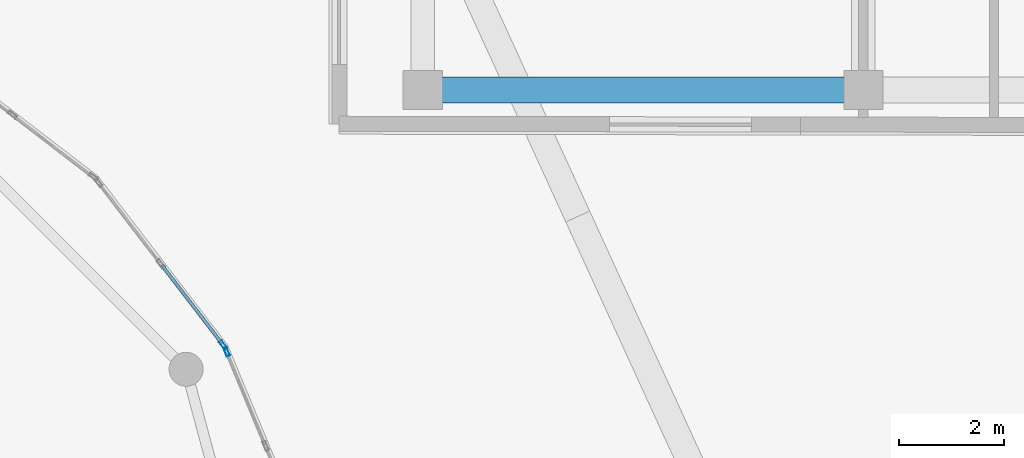
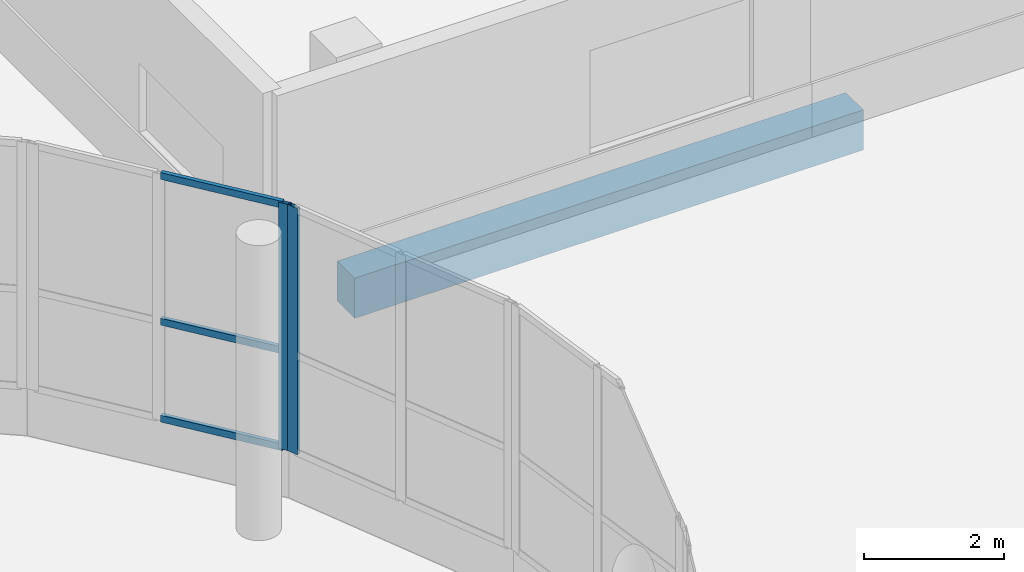
# One storey, part 19 of 101: 5 members, 1 beam, 2 elements without a shape of their own.
"""IFC4 building model written with IfcOpenShell, lengths in metres."""

from ifc_helpers import new_model, si_unit, direction, frame, origin, origin_2d, place, context, subcontext, project, spatial, rectangle, hollow_rectangle, extrude, material, material_profile, profile_set, type_object, element, aggregate, save


model = new_model("IFC4")

# Units and contexts
model_context = context("Model", 3, precision=1e-05, world=origin(), true_north=direction((0.0, 1.0)))
body_context = subcontext(model_context, "Body", "Model", "MODEL_VIEW")
ifc_project = project(units=[si_unit("LENGTHUNIT", "METRE"), si_unit("AREAUNIT", "SQUARE_METRE"), si_unit("VOLUMEUNIT", "CUBIC_METRE"), si_unit("PLANEANGLEUNIT", "RADIAN"), si_unit("MASSUNIT", "GRAM", prefix="KILO")], contexts=[model_context])

# Site, building, storey
site_placement = place(None, origin())
site = spatial("IfcSite", under=ifc_project, at=site_placement, CompositionType="ELEMENT")
building_placement = place(site_placement, origin())
building = spatial("IfcBuilding", under=site, at=building_placement, Name="Selatvlak General Hospital", CompositionType="ELEMENT")
storey_placement = place(building_placement, frame((0.0, 0.0, 19.199951171875)))
storey = spatial("IfcBuildingStorey", under=building, at=storey_placement, Name="L04", CompositionType="ELEMENT", Elevation=19.199951171875)

# Beam
ifc_material_1 = material(Name="Concrete C40/50", Category="concrete")
ifc_material_profile_1 = material_profile(ifc_material_1, rectangle(XDim=0.5, YDim=0.699951171875, at=origin_2d()), Name="RC-BM 500x700")
ifc_profile_set_1 = profile_set([ifc_material_profile_1], Name="Concrete C40/50")
beam_type = type_object("IfcBeamType", Name="BM-G03", PredefinedType="BEAM", material=ifc_profile_set_1)
beam_placement = place(storey_placement, frame((115.199951171875, 66.64990234375, -0.655029296875), z_axis=(1.0, 0.0, 0.0), x_axis=(0.0, 1.0, 0.0)))
element("IfcBeam", 1, at=beam_placement, inside=storey, type_object=beam_type, Name="Beam BMR-L04-1509", PredefinedType="BEAM", context=body_context, shape_type="SweptSolid", body=[
    extrude(rectangle(XDim=0.5, YDim=0.699951171875, at=origin_2d()), origin(), (0.0, 0.0, 1.0), 8.400146484375),
])

# Curtain wall, member
ifc_material_2 = material(Name="Solar-control Low-E double glazing", Category="glass")
curtain_wall_type_1 = type_object("IfcCurtainWallType", Name="CW-CW-05", PredefinedType="USERDEFINED", material=ifc_material_2)
curtain_wall_1_placement = place(storey_placement, origin())
curtain_wall_1 = element("IfcCurtainWall", 2, at=curtain_wall_1_placement, inside=storey, type_object=curtain_wall_type_1, Name="Glazed facade curtain wall CW-L04-0540", ObjectType="STICK GLAZING WALL", PredefinedType="USERDEFINED")
ifc_material_3 = material(Name="Dark anodised aluminium mullion", Category="aluminium")
ifc_material_profile_2 = material_profile(ifc_material_3, hollow_rectangle(XDim=0.06494140625, YDim=0.179931640625, WallThickness=0.00439453125, at=origin_2d()), Name="AL-MUL 65x180x4.5")
ifc_profile_set_2 = profile_set([ifc_material_profile_2], Name="Dark anodised aluminium mullion")
member_type_1 = type_object("IfcMemberType", Name="CWM-02", PredefinedType="MULLION", material=ifc_profile_set_2)
member_1_placement = place(storey_placement, frame((111.393310546875, 61.788818359375, 0.85009765625), z_axis=(0.0, 0.0, 1.0), x_axis=(0.793232853917, 0.608918417743, 0.0)))
member_1 = element("IfcMember", 3, at=member_1_placement, type_object=member_type_1, Name="CW-05 mullion 3", PredefinedType="MULLION", context=body_context, shape_type="SweptSolid", body=[
    extrude(hollow_rectangle(XDim=0.06494140625, YDim=0.179931640625, WallThickness=0.00439453125, at=origin_2d()), origin(), (0.0, 0.0, 1.0), 4.300048828125),
])

curtain_wall_type_2 = type_object("IfcCurtainWallType", Name="CW-CW-04", PredefinedType="USERDEFINED", material=ifc_material_2)
curtain_wall_2_placement = place(storey_placement, origin())
curtain_wall_2 = element("IfcCurtainWall", 4, at=curtain_wall_2_placement, inside=storey, type_object=curtain_wall_type_2, Name="Glazed facade curtain wall CW-L04-0541", ObjectType="STICK GLAZING WALL", PredefinedType="USERDEFINED")
member_2_placement = place(storey_placement, frame((111.45947265625, 61.660888671875, 0.85009765625), z_axis=(0.0, 0.0, 1.0), x_axis=(0.923850868847, 0.382752625243, 0.0)))
member_2 = element("IfcMember", 5, at=member_2_placement, type_object=member_type_1, Name="CW-04 mullion 1", PredefinedType="MULLION", context=body_context, shape_type="SweptSolid", body=[
    extrude(hollow_rectangle(XDim=0.06494140625, YDim=0.179931640625, WallThickness=0.00439453125, at=origin_2d()), origin(), (0.0, 0.0, 1.0), 4.300048828125),
])
aggregate(curtain_wall_2, [member_2])

# Member
ifc_material_profile_3 = material_profile(ifc_material_3, hollow_rectangle(XDim=0.06494140625, YDim=0.1201171875, WallThickness=0.00390625, at=origin_2d()), Name="AL-TRN 65x120x4")
ifc_profile_set_3 = profile_set([ifc_material_profile_3], Name="Dark anodised aluminium mullion")
member_type_2 = type_object("IfcMemberType", Name="CWT-01", PredefinedType="USERDEFINED", material=ifc_profile_set_3)
member_3_placement = place(storey_placement, frame((110.225341796875, 63.310302734375, 0.882568359375), z_axis=(0.608890787968, -0.793254062913, 0.0), x_axis=(0.793254062913, 0.608890787968, 0.0)))
member_3 = element("IfcMember", 6, at=member_3_placement, type_object=member_type_2, Name="CW-05 transom 2.1", ObjectType="TRANSOM", PredefinedType="USERDEFINED", context=body_context, shape_type="SweptSolid", body=[
    extrude(hollow_rectangle(XDim=0.06494140625, YDim=0.1201171875, WallThickness=0.00390625, at=origin_2d()), origin(), (0.0, 0.0, 1.0), 1.8857421875),
])

member_4_placement = place(storey_placement, frame((110.225341796875, 63.310302734375, 2.574951171875), z_axis=(0.608890787968, -0.793254062913, 0.0), x_axis=(0.793254062913, 0.608890787968, 0.0)))
member_4 = element("IfcMember", 7, at=member_4_placement, type_object=member_type_2, Name="CW-05 transom 2.2", ObjectType="TRANSOM", PredefinedType="USERDEFINED", context=body_context, shape_type="SweptSolid", body=[
    extrude(hollow_rectangle(XDim=0.06494140625, YDim=0.1201171875, WallThickness=0.00390625, at=origin_2d()), origin(), (0.0, 0.0, 1.0), 1.8857421875),
])

member_5_placement = place(storey_placement, frame((110.225341796875, 63.310302734375, 5.117431640625), z_axis=(0.608890787968, -0.793254062913, 0.0), x_axis=(0.793254062913, 0.608890787968, 0.0)))
member_5 = element("IfcMember", 8, at=member_5_placement, type_object=member_type_2, Name="CW-05 transom 2.3", ObjectType="TRANSOM", PredefinedType="USERDEFINED", context=body_context, shape_type="SweptSolid", body=[
    extrude(hollow_rectangle(XDim=0.06494140625, YDim=0.1201171875, WallThickness=0.00390625, at=origin_2d()), origin(), (0.0, 0.0, 1.0), 1.8857421875),
])

aggregate(curtain_wall_1, [member_1, member_3, member_4, member_5])

save(model, "model.ifc")
